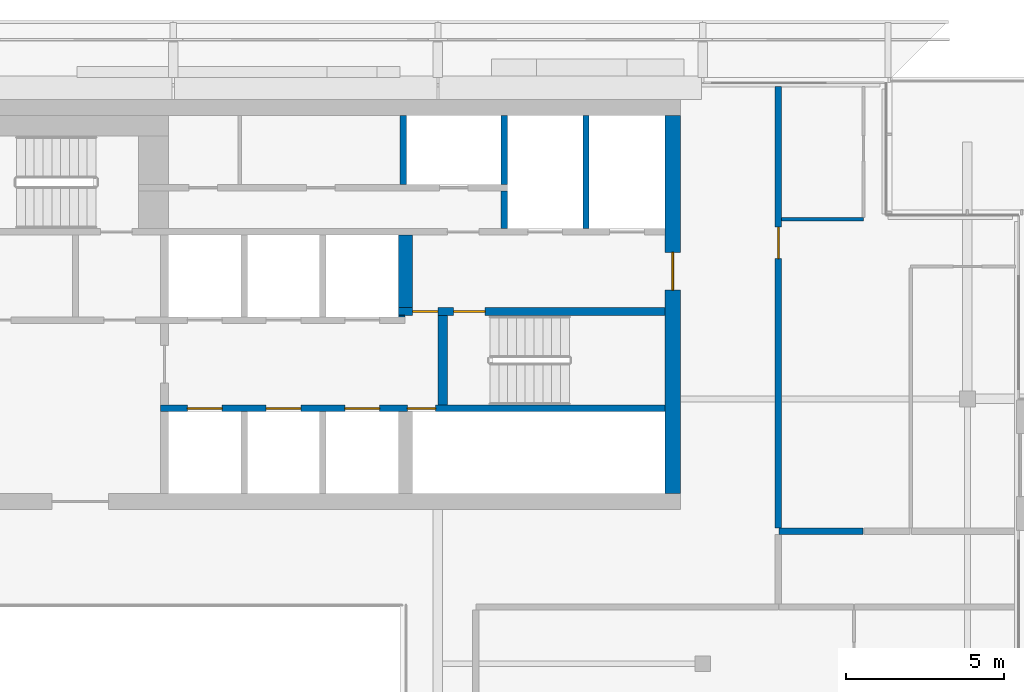
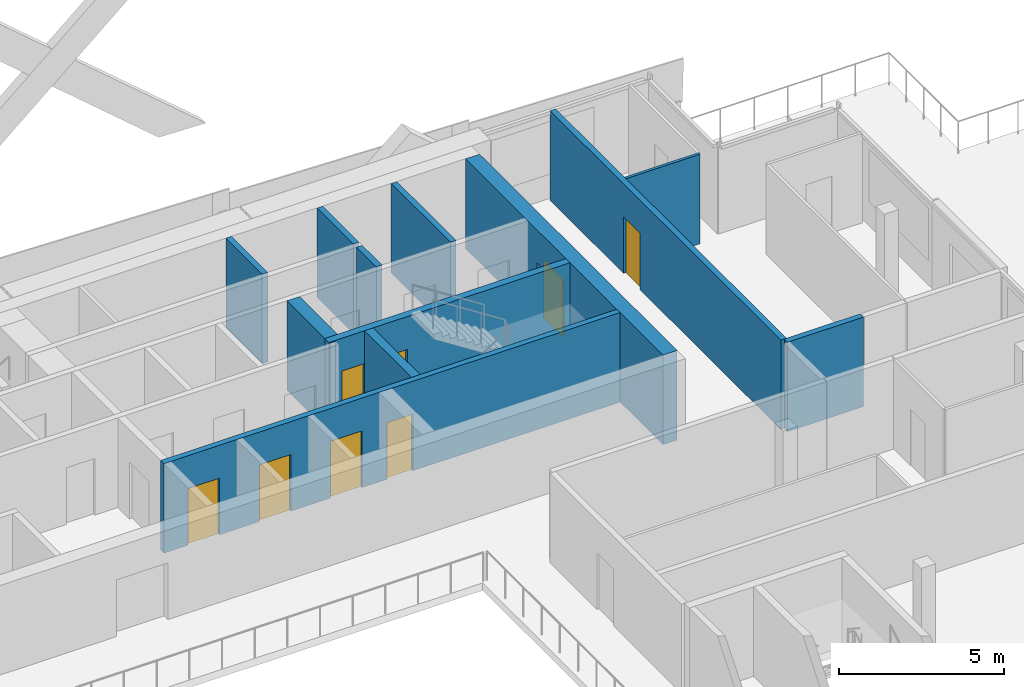
# One storey, part 21 of 29: 13 walls, 8 doors, 8 openings.
"""IFC4 building model written with IfcOpenShell, lengths in metres."""

from ifc_helpers import new_model, si_unit, direction, frame, frame_2d, origin, place, context, subcontext, project, spatial, rectangle, extrude, material, layer, layer_set, type_object, element, fill, save


model = new_model("IFC4")

# Units and contexts
model_context = context("Model", 3, precision=1e-05, world=origin(), true_north=direction((0.0, 1.0)))
body_context = subcontext(model_context, "Body", "Model", "MODEL_VIEW")
ifc_project = project(units=[si_unit("LENGTHUNIT", "METRE"), si_unit("AREAUNIT", "SQUARE_METRE"), si_unit("VOLUMEUNIT", "CUBIC_METRE"), si_unit("PLANEANGLEUNIT", "RADIAN"), si_unit("MASSUNIT", "GRAM", prefix="KILO")], contexts=[model_context])

# Site, building, storey
site_placement = place(None, origin())
site = spatial("IfcSite", under=ifc_project, at=site_placement, CompositionType="ELEMENT")
building_placement = place(site_placement, origin())
building = spatial("IfcBuilding", under=site, at=building_placement, Name="Saffron Gate Tower", CompositionType="ELEMENT")
storey_placement = place(building_placement, frame((0.0, 0.0, 270.75)))
storey = spatial("IfcBuildingStorey", under=building, at=storey_placement, Name="L65", CompositionType="ELEMENT", Elevation=270.75)

# Wall, opening, door
ifc_material_1 = material(Name="Concrete C50", Category="concrete")
ifc_layer_1 = layer(ifc_material_1, 0.5)
ifc_layer_set_1 = layer_set([ifc_layer_1], Name="CW22 RC core wall 500 C50")
wall_type_1 = type_object("IfcWallType", Name="CW22 RC core wall 500 C50", PredefinedType="SOLIDWALL", material=ifc_layer_set_1)
wall_1_placement = place(storey_placement, frame((107.64990234375, 62.39990234375, 0.0), z_axis=(0.0, 0.0, 1.0), x_axis=(0.0, 1.0, 0.0)))
wall_1 = element("IfcWall", 1, at=wall_1_placement, inside=storey, type_object=wall_type_1, Name="Wall CW22-L65-4", PredefinedType="SOLIDWALL", context=body_context, shape_type="SweptSolid", body=[
    extrude(rectangle(XDim=12.0, YDim=0.5, at=frame_2d((6.0, 0.0))), origin(), (0.0, 0.0, 1.0), 3.320068359375),
])
opening_1_placement = place(wall_1_placement, frame((6.449951171875, 0.0, 0.0)))
opening_1 = element("IfcOpeningElement", 2, at=opening_1_placement, cuts=wall_1, Name="Opening CR-08", PredefinedType="OPENING", context=body_context, shape_type="SweptSolid", body=[
    extrude(rectangle(XDim=1.199951171875, YDim=2.10009765625, at=frame_2d((0.60009765625, 1.050048828125))), frame((0.0, 0.260009765625, 0.0), z_axis=(0.0, -1.0, 0.0), x_axis=(1.0, 0.0, 0.0)), (0.0, 0.0, 1.0), 0.52001953125),
])
ifc_material_2 = material(Name="Steel fire door set", Category="steel")
door_type_1 = type_object("IfcDoorType", Name="CD7 Core entrance door 1200x2100 EI 120", OperationType="NOTDEFINED", PredefinedType="DOOR", material=ifc_material_2)
door_1_placement = place(opening_1_placement, origin())
door_1 = element("IfcDoor", 3, at=door_1_placement, inside=storey, type_object=door_type_1, Name="DOOR CR-08", OperationType="SINGLE_SWING_RIGHT", OverallHeight=2.10009765625, OverallWidth=1.199951171875, PredefinedType="DOOR", context=body_context, shape_type="SweptSolid", body=[
    extrude(rectangle(XDim=1.199951171875, YDim=2.10009765625, at=frame_2d((0.60009765625, 1.050048828125))), frame((0.0, 0.02490234375, 0.0), z_axis=(0.0, -1.0, 0.0), x_axis=(1.0, 0.0, 0.0)), (0.0, 0.0, 1.0), 0.050048828125),
])
fill(opening_1, door_1)

# Wall, openings, doors
ifc_layer_2 = layer(ifc_material_1, 0.25)
ifc_layer_set_2 = layer_set([ifc_layer_2], Name="CW23 RC core wall 250 C50")
wall_type_2 = type_object("IfcWallType", Name="CW23 RC core wall 250 C50", PredefinedType="SOLIDWALL", material=ifc_layer_set_2)
wall_2_placement = place(storey_placement, frame((98.949951171875, 68.175048828125, 0.0), z_axis=(0.0, 0.0, 1.0), x_axis=(1.0, 0.0, 0.0)))
wall_2 = element("IfcWall", 4, at=wall_2_placement, inside=storey, type_object=wall_type_2, Name="Wall CW23-L65-27", PredefinedType="SOLIDWALL", context=body_context, shape_type="SweptSolid", body=[
    extrude(rectangle(XDim=8.449951171875, YDim=0.25, at=frame_2d((4.22509765625, 0.0))), origin(), (0.0, 0.0, 1.0), 3.320068359375),
])
opening_2_placement = place(wall_2_placement, frame((0.449951171875, 0.0, 0.0)))
opening_2 = element("IfcOpeningElement", 5, at=opening_2_placement, cuts=wall_2, Name="Opening CR-05", PredefinedType="OPENING", context=body_context, shape_type="SweptSolid", body=[
    extrude(rectangle(XDim=0.800048828125, YDim=2.10009765625, at=frame_2d((0.39990234375, 1.050048828125))), frame((0.0, 0.135009765625, 0.0), z_axis=(0.0, -1.0, 0.0), x_axis=(1.0, 0.0, 0.0)), (0.0, 0.0, 1.0), 0.27001953125),
])
opening_3_placement = place(wall_2_placement, frame((1.75, 0.0, 0.0)))
opening_3 = element("IfcOpeningElement", 6, at=opening_3_placement, cuts=wall_2, Name="Opening CR-16", PredefinedType="OPENING", context=body_context, shape_type="SweptSolid", body=[
    extrude(rectangle(XDim=1.0, YDim=2.10009765625, at=frame_2d((0.5, 1.050048828125))), frame((0.0, 0.135009765625, 0.0), z_axis=(0.0, -1.0, 0.0), x_axis=(1.0, 0.0, 0.0)), (0.0, 0.0, 1.0), 0.27001953125),
])
door_type_2 = type_object("IfcDoorType", Name="CD5 Stair door 1000x2100 EI 120", OperationType="NOTDEFINED", PredefinedType="DOOR", material=ifc_material_2)
door_2_placement = place(opening_3_placement, origin())
door_2 = element("IfcDoor", 7, at=door_2_placement, inside=storey, type_object=door_type_2, Name="DOOR CR-16", OperationType="SINGLE_SWING_RIGHT", OverallHeight=2.10009765625, OverallWidth=1.0, PredefinedType="DOOR", context=body_context, shape_type="SweptSolid", body=[
    extrude(rectangle(XDim=1.0, YDim=2.10009765625, at=frame_2d((0.5, 1.050048828125))), frame((0.0, 0.02490234375, 0.0), z_axis=(0.0, -1.0, 0.0), x_axis=(1.0, 0.0, 0.0)), (0.0, 0.0, 1.0), 0.050048828125),
])
fill(opening_3, door_2)
door_type_3 = type_object("IfcDoorType", Name="CD6 Lobby door 800x2100 EI 120", OperationType="NOTDEFINED", PredefinedType="DOOR", material=ifc_material_2)
door_3_placement = place(opening_2_placement, origin())
door_3 = element("IfcDoor", 8, at=door_3_placement, inside=storey, type_object=door_type_3, Name="DOOR CR-05", OperationType="SINGLE_SWING_LEFT", OverallHeight=2.10009765625, OverallWidth=0.800048828125, PredefinedType="DOOR", context=body_context, shape_type="SweptSolid", body=[
    extrude(rectangle(XDim=0.800048828125, YDim=2.10009765625, at=frame_2d((0.39990234375, 1.050048828125))), frame((0.0, 0.02490234375, 0.0), z_axis=(0.0, -1.0, 0.0), x_axis=(1.0, 0.0, 0.0)), (0.0, 0.0, 1.0), 0.050048828125),
])
fill(opening_2, door_3)

# Wall
ifc_layer_3 = layer(ifc_material_1, 0.449951171875)
ifc_layer_set_3 = layer_set([ifc_layer_3], Name="CW24 RC core wall 450 C50")
wall_type_3 = type_object("IfcWallType", Name="CW24 RC core wall 450 C50", PredefinedType="SOLIDWALL", material=ifc_layer_set_3)
wall_3_placement = place(storey_placement, frame((99.175048828125, 68.300048828125, 0.0), z_axis=(0.0, 0.0, 1.0), x_axis=(0.0, 1.0, 0.0)))
element("IfcWall", 9, at=wall_3_placement, inside=storey, type_object=wall_type_3, Name="Wall CW24-L65-29", PredefinedType="SOLIDWALL", context=body_context, shape_type="SweptSolid", body=[
    extrude(rectangle(XDim=2.300048828125, YDim=0.449951171875, at=frame_2d((1.14990234375, 0.0))), origin(), (0.0, 0.0, 1.0), 3.320068359375),
])

# Wall, openings, doors
ifc_layer_4 = layer(ifc_material_1, 0.199951171875)
ifc_layer_set_4 = layer_set([ifc_layer_4], Name="CW25 RC core wall 200 C50")
wall_type_4 = type_object("IfcWallType", Name="CW25 RC core wall 200 C50", PredefinedType="SOLIDWALL", material=ifc_layer_set_4)
wall_4_placement = place(storey_placement, frame((91.39990234375, 65.10009765625, 0.0), z_axis=(0.0, 0.0, 1.0), x_axis=(1.0, 0.0, 0.0)))
wall_4 = element("IfcWall", 10, at=wall_4_placement, inside=storey, type_object=wall_type_4, Name="Wall CW25-L65-14", PredefinedType="SOLIDWALL", context=body_context, shape_type="SweptSolid", body=[
    extrude(rectangle(XDim=16.0, YDim=0.199951171875, at=frame_2d((8.0, 0.0))), origin(), (0.0, 0.0, 1.0), 3.320068359375),
])
opening_4_placement = place(wall_4_placement, frame((0.85009765625, 0.0, 0.0)))
opening_4 = element("IfcOpeningElement", 11, at=opening_4_placement, cuts=wall_4, Name="Opening LD-HR1", PredefinedType="OPENING", context=body_context, shape_type="SweptSolid", body=[
    extrude(rectangle(XDim=1.10009765625, YDim=2.10009765625, at=frame_2d((0.550048828125, 1.050048828125))), frame((0.0, 0.10986328125, 0.0), z_axis=(0.0, -1.0, 0.0), x_axis=(1.0, 0.0, 0.0)), (0.0, 0.0, 1.0), 0.219970703125),
])
opening_5_placement = place(wall_4_placement, frame((3.35009765625, 0.0, 0.0)))
opening_5 = element("IfcOpeningElement", 12, at=opening_5_placement, cuts=wall_4, Name="Opening LD-HR2", PredefinedType="OPENING", context=body_context, shape_type="SweptSolid", body=[
    extrude(rectangle(XDim=1.10009765625, YDim=2.10009765625, at=frame_2d((0.550048828125, 1.050048828125))), frame((0.0, 0.10986328125, 0.0), z_axis=(0.0, -1.0, 0.0), x_axis=(1.0, 0.0, 0.0)), (0.0, 0.0, 1.0), 0.219970703125),
])
opening_6_placement = place(wall_4_placement, frame((5.85009765625, 0.0, 0.0)))
opening_6 = element("IfcOpeningElement", 13, at=opening_6_placement, cuts=wall_4, Name="Opening LD-HR3", PredefinedType="OPENING", context=body_context, shape_type="SweptSolid", body=[
    extrude(rectangle(XDim=1.10009765625, YDim=2.10009765625, at=frame_2d((0.550048828125, 1.050048828125))), frame((0.0, 0.10986328125, 0.0), z_axis=(0.0, -1.0, 0.0), x_axis=(1.0, 0.0, 0.0)), (0.0, 0.0, 1.0), 0.219970703125),
])
opening_7_placement = place(wall_4_placement, frame((7.830078125, 0.0, 0.0)))
opening_7 = element("IfcOpeningElement", 14, at=opening_7_placement, cuts=wall_4, Name="Opening CR-48", PredefinedType="OPENING", context=body_context, shape_type="SweptSolid", body=[
    extrude(rectangle(XDim=0.89990234375, YDim=2.10009765625, at=frame_2d((0.449951171875, 1.050048828125))), frame((0.0, 0.10986328125, 0.0), z_axis=(0.0, -1.0, 0.0), x_axis=(1.0, 0.0, 0.0)), (0.0, 0.0, 1.0), 0.219970703125),
])
door_type_4 = type_object("IfcDoorType", Name="CD2 Riser door 900x2100 EI 60", OperationType="NOTDEFINED", PredefinedType="DOOR", material=ifc_material_2)
door_4_placement = place(opening_7_placement, origin())
door_4 = element("IfcDoor", 15, at=door_4_placement, inside=storey, type_object=door_type_4, Name="DOOR CR-48", OperationType="SINGLE_SWING_RIGHT", OverallHeight=2.10009765625, OverallWidth=0.89990234375, PredefinedType="DOOR", context=body_context, shape_type="SweptSolid", body=[
    extrude(rectangle(XDim=0.89990234375, YDim=2.10009765625, at=frame_2d((0.449951171875, 1.050048828125))), frame((0.0, 0.02490234375, 0.0), z_axis=(0.0, -1.0, 0.0), x_axis=(1.0, 0.0, 0.0)), (0.0, 0.0, 1.0), 0.050048828125),
])
fill(opening_7, door_4)
ifc_material_3 = material(Name="Stainless steel landing door", Category="steel")
door_type_5 = type_object("IfcDoorType", Name="LD Lift landing door 1100x2100 EI 120", OperationType="SLIDING_TO_LEFT", PredefinedType="DOOR", material=ifc_material_3)
door_5_placement = place(opening_4_placement, origin())
door_5 = element("IfcDoor", 16, at=door_5_placement, inside=storey, type_object=door_type_5, Name="LANDING DOOR LD-HR1", OperationType="SLIDING_TO_LEFT", OverallHeight=2.10009765625, OverallWidth=1.10009765625, PredefinedType="DOOR", context=body_context, shape_type="SweptSolid", body=[
    extrude(rectangle(XDim=1.10009765625, YDim=2.10009765625, at=frame_2d((0.550048828125, 1.050048828125))), frame((0.0, 0.02490234375, 0.0), z_axis=(0.0, -1.0, 0.0), x_axis=(1.0, 0.0, 0.0)), (0.0, 0.0, 1.0), 0.050048828125),
])
fill(opening_4, door_5)
door_6_placement = place(opening_5_placement, origin())
door_6 = element("IfcDoor", 17, at=door_6_placement, inside=storey, type_object=door_type_5, Name="LANDING DOOR LD-HR2", OperationType="SLIDING_TO_LEFT", OverallHeight=2.10009765625, OverallWidth=1.10009765625, PredefinedType="DOOR", context=body_context, shape_type="SweptSolid", body=[
    extrude(rectangle(XDim=1.10009765625, YDim=2.10009765625, at=frame_2d((0.550048828125, 1.050048828125))), frame((0.0, 0.02490234375, 0.0), z_axis=(0.0, -1.0, 0.0), x_axis=(1.0, 0.0, 0.0)), (0.0, 0.0, 1.0), 0.050048828125),
])
fill(opening_5, door_6)
door_7_placement = place(opening_6_placement, origin())
door_7 = element("IfcDoor", 18, at=door_7_placement, inside=storey, type_object=door_type_5, Name="LANDING DOOR LD-HR3", OperationType="SLIDING_TO_LEFT", OverallHeight=2.10009765625, OverallWidth=1.10009765625, PredefinedType="DOOR", context=body_context, shape_type="SweptSolid", body=[
    extrude(rectangle(XDim=1.10009765625, YDim=2.10009765625, at=frame_2d((0.550048828125, 1.050048828125))), frame((0.0, 0.02490234375, 0.0), z_axis=(0.0, -1.0, 0.0), x_axis=(1.0, 0.0, 0.0)), (0.0, 0.0, 1.0), 0.050048828125),
])
fill(opening_6, door_7)

# Walls
wall_5_placement = place(storey_placement, frame((102.300048828125, 70.800048828125, 0.0), z_axis=(0.0, 0.0, 1.0), x_axis=(0.0, 1.0, 0.0)))
element("IfcWall", 19, at=wall_5_placement, inside=storey, type_object=wall_type_4, Name="Wall CW25-L65-35", PredefinedType="SOLIDWALL", context=body_context, shape_type="SweptSolid", body=[
    extrude(rectangle(XDim=1.199951171875, YDim=0.199951171875, at=frame_2d((0.60009765625, 0.0))), origin(), (0.0, 0.0, 1.0), 3.320068359375),
])
wall_6_placement = place(storey_placement, frame((104.89990234375, 70.800048828125, 0.0), z_axis=(0.0, 0.0, 1.0), x_axis=(0.0, 1.0, 0.0)))
element("IfcWall", 20, at=wall_6_placement, inside=storey, type_object=wall_type_4, Name="Wall CW25-L65-36", PredefinedType="SOLIDWALL", context=body_context, shape_type="SweptSolid", body=[
    extrude(rectangle(XDim=3.599853515625, YDim=0.199951171875, at=frame_2d((1.7998046875, 0.0))), origin(), (0.0, 0.0, 1.0), 3.320068359375),
])
for number, where, z_axis, x_axis, name in (
    (21, (99.10009765625, 72.199951171875, 0.0), (0.0, 0.0, 1.0), (0.0, 1.0, 0.0), "Wall CW25-L65-46"),
    (22, (102.300048828125, 72.199951171875, 0.0), (0.0, 0.0, 1.0), (0.0, 1.0, 0.0), "Wall CW25-L65-47"),
):
    element("IfcWall", number, at=place(storey_placement, frame(where, z_axis=z_axis, x_axis=x_axis)), inside=storey, type_object=wall_type_4, Name=name, PredefinedType="SOLIDWALL", context=body_context, shape_type="SweptSolid", body=[
        extrude(rectangle(XDim=2.199951171875, YDim=0.199951171875, at=frame_2d((1.10009765625, 0.0))), origin(), (0.0, 0.0, 1.0), 3.320068359375),
    ])
ifc_layer_5 = layer(ifc_material_1, 0.300048828125)
ifc_layer_set_5 = layer_set([ifc_layer_5], Name="CW26 RC core wall 300 C50")
wall_type_5 = type_object("IfcWallType", Name="CW26 RC core wall 300 C50", PredefinedType="SOLIDWALL", material=ifc_layer_set_5)
wall_7_placement = place(storey_placement, frame((100.35009765625, 65.199951171875, 0.0), z_axis=(0.0, 0.0, 1.0), x_axis=(0.0, 1.0, 0.0)))
element("IfcWall", 23, at=wall_7_placement, inside=storey, type_object=wall_type_5, Name="Wall CW26-L65-18", PredefinedType="SOLIDWALL", context=body_context, shape_type="SweptSolid", body=[
    extrude(rectangle(XDim=2.85009765625, YDim=0.300048828125, at=frame_2d((1.425048828125, 0.0))), origin(), (0.0, 0.0, 1.0), 3.320068359375),
])
ifc_layer_6 = layer(ifc_material_1, 0.050048828125)
ifc_layer_set_6 = layer_set([ifc_layer_6], Name="CW27 RC core wall 50 C50")
wall_type_6 = type_object("IfcWallType", Name="CW27 RC core wall 50 C50", PredefinedType="SOLIDWALL", material=ifc_layer_set_6)
wall_8_placement = place(storey_placement, frame((98.949951171875, 68.02490234375, 0.0), z_axis=(0.0, 0.0, 1.0), x_axis=(1.0, 0.0, 0.0)))
element("IfcWall", 24, at=wall_8_placement, inside=storey, type_object=wall_type_6, Name="Wall CW27-L65-25", PredefinedType="SOLIDWALL", context=body_context, shape_type="SweptSolid", body=[
    extrude(rectangle(XDim=0.199951171875, YDim=0.050048828125, at=frame_2d((0.10009765625, 0.0))), origin(), (0.0, 0.0, 1.0), 3.320068359375),
])
ifc_material_4 = material(Name="Plasterboard on steel studs", Category="steel")
ifc_layer_7 = layer(ifc_material_4, 0.10009765625)
ifc_layer_set_7 = layer_set([ifc_layer_7], Name="PW1 Partition 100")
wall_type_7 = type_object("IfcWallType", Name="PW1 Partition 100", PredefinedType="PARTITIONING", material=ifc_layer_set_7)
wall_9_placement = place(storey_placement, frame((111.10009765625, 71.10009765625, 0.0), z_axis=(0.0, 0.0, 1.0), x_axis=(1.0, 0.0, 0.0)))
element("IfcWall", 25, at=wall_9_placement, inside=storey, type_object=wall_type_7, Name="Partition E2-34", PredefinedType="PARTITIONING", context=body_context, shape_type="SweptSolid", body=[
    extrude(rectangle(XDim=2.599853515625, YDim=0.10009765625, at=frame_2d((1.2998046875, 0.0))), origin(), (0.0, 0.0, 1.0), 3.320068359375),
])

# Wall, opening, door
ifc_material_5 = material(Name="Clay brick masonry, rendered", Category="masonry")
ifc_layer_8 = layer(ifc_material_5, 0.199951171875)
ifc_layer_set_8 = layer_set([ifc_layer_8], Name="PW3 Corridor wall 200")
wall_type_8 = type_object("IfcWallType", Name="PW3 Corridor wall 200", PredefinedType="PARTITIONING", material=ifc_layer_set_8)
wall_10_placement = place(storey_placement, frame((111.0, 75.320068359375, 0.0), z_axis=(0.0, 0.0, 1.0), x_axis=(0.0, -1.0, 0.0)))
wall_10 = element("IfcWall", 26, at=wall_10_placement, inside=storey, type_object=wall_type_8, Name="Wall E2-70", PredefinedType="PARTITIONING", context=body_context, shape_type="SweptSolid", body=[
    extrude(rectangle(XDim=14.02001953125, YDim=0.199951171875, at=frame_2d((7.010009765625, 0.0))), origin(), (0.0, 0.0, 1.0), 3.320068359375),
])
opening_8_placement = place(wall_10_placement, frame((4.469970703125, 0.0, 0.0)))
opening_8 = element("IfcOpeningElement", 27, at=opening_8_placement, cuts=wall_10, Name="Opening E2-7", PredefinedType="OPENING", context=body_context, shape_type="SweptSolid", body=[
    extrude(rectangle(XDim=1.0, YDim=2.10009765625, at=frame_2d((0.5, 1.050048828125))), frame((0.0, 0.10986328125, 0.0), z_axis=(0.0, -1.0, 0.0), x_axis=(1.0, 0.0, 0.0)), (0.0, 0.0, 1.0), 0.219970703125),
])
ifc_material_6 = material(Name="Timber fire door set", Category="wood")
door_type_6 = type_object("IfcDoorType", Name="FD1 Flat entry door 1000x2100", OperationType="NOTDEFINED", PredefinedType="DOOR", material=ifc_material_6)
door_8_placement = place(opening_8_placement, origin())
door_8 = element("IfcDoor", 28, at=door_8_placement, inside=storey, type_object=door_type_6, Name="Door E2-7", OperationType="SINGLE_SWING_RIGHT", OverallHeight=2.10009765625, OverallWidth=1.0, PredefinedType="DOOR", context=body_context, shape_type="SweptSolid", body=[
    extrude(rectangle(XDim=1.0, YDim=2.10009765625, at=frame_2d((0.5, 1.050048828125))), frame((0.0, 0.02490234375, 0.0), z_axis=(0.0, -1.0, 0.0), x_axis=(1.0, 0.0, 0.0)), (0.0, 0.0, 1.0), 0.050048828125),
])
fill(opening_8, door_8)

# Wall
ifc_layer_9 = layer(ifc_material_5, 0.199951171875)
ifc_layer_set_9 = layer_set([ifc_layer_9], Name="PW5 Room wall 200")
wall_type_9 = type_object("IfcWallType", Name="PW5 Room wall 200", PredefinedType="PARTITIONING", material=ifc_layer_set_9)
wall_11_placement = place(storey_placement, frame((111.02001953125, 61.199951171875, 0.0), z_axis=(0.0, 0.0, 1.0), x_axis=(1.0, 0.0, 0.0)))
element("IfcWall", 29, at=wall_11_placement, inside=storey, type_object=wall_type_9, Name="Wall E2-28", PredefinedType="PARTITIONING", context=body_context, shape_type="SweptSolid", body=[
    extrude(rectangle(XDim=2.659912109375, YDim=0.199951171875, at=frame_2d((1.330078125, 0.0))), origin(), (0.0, 0.0, 1.0), 3.320068359375),
])

save(model, "model.ifc")
